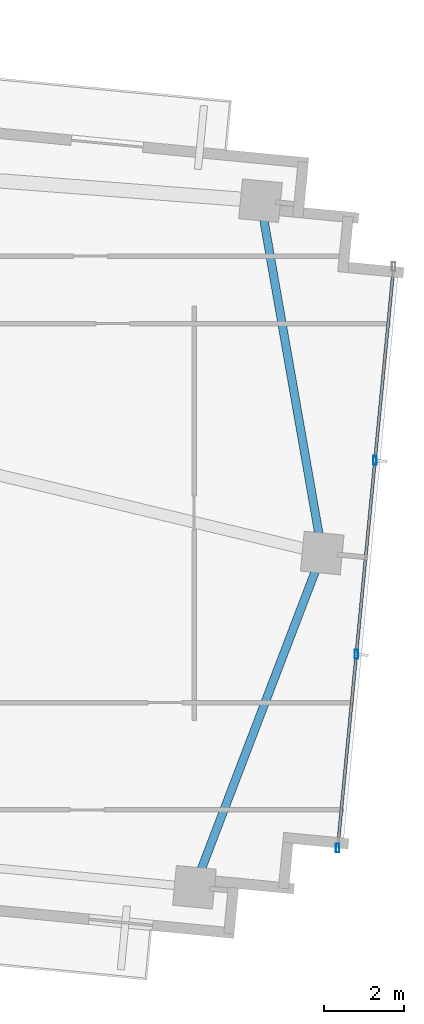
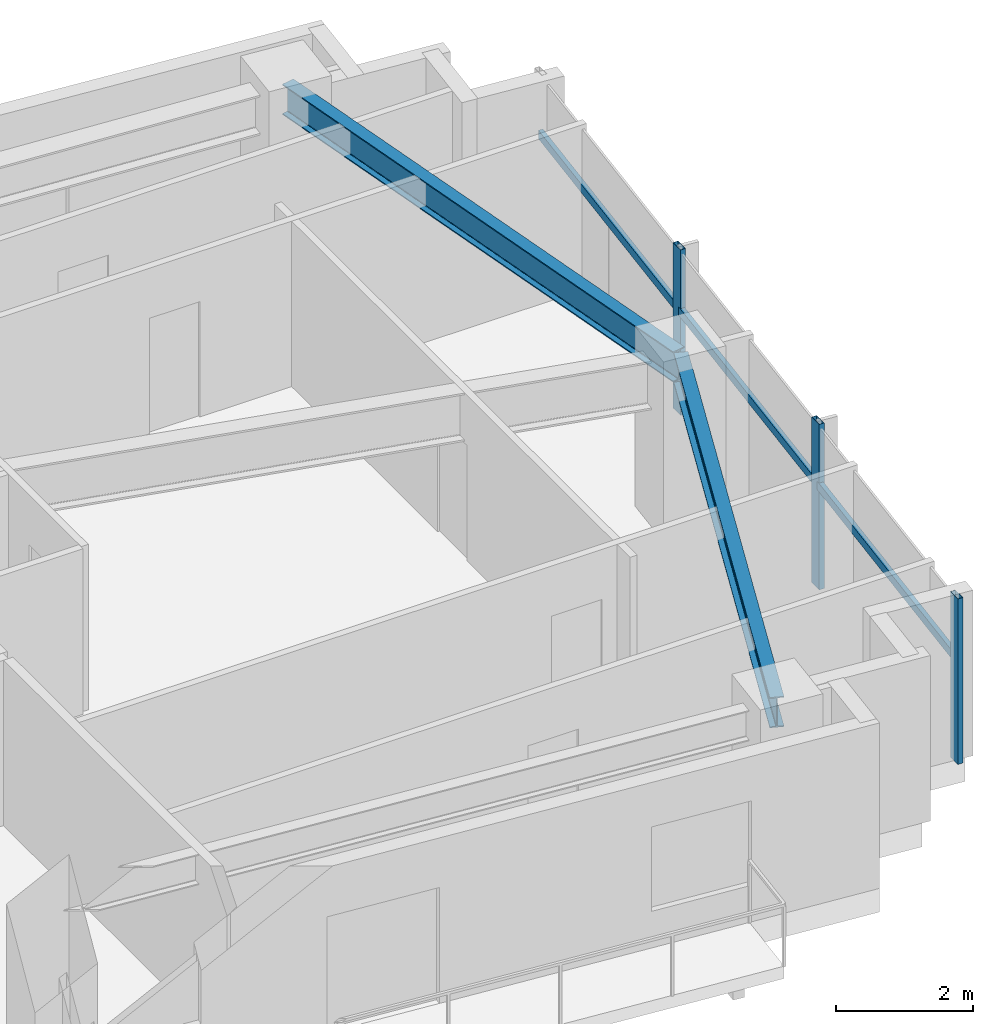
# One storey, part 10 of 19: 6 members, 2 beams, 1 element without a shape of its own.
"""IFC4 building model written with IfcOpenShell, lengths in metres."""

from ifc_helpers import new_model, si_unit, direction, frame, origin, origin_2d, place, context, subcontext, project, spatial, hollow_rectangle, i_section, extrude, source, transform, mapped, material, material_profile, profile_set, type_object, type_shapes, element, aggregate, save


model = new_model("IFC4")

# Units and contexts
model_context = context("Model", 3, precision=1e-05, world=origin(), true_north=direction((0.0, 1.0)))
body_context = subcontext(model_context, "Body", "Model", "MODEL_VIEW")
ifc_project = project(units=[si_unit("LENGTHUNIT", "METRE"), si_unit("AREAUNIT", "SQUARE_METRE"), si_unit("VOLUMEUNIT", "CUBIC_METRE"), si_unit("PLANEANGLEUNIT", "RADIAN"), si_unit("MASSUNIT", "GRAM", prefix="KILO")], contexts=[model_context])

# Site, building, storey
site_placement = place(None, origin())
site = spatial("IfcSite", under=ifc_project, at=site_placement, CompositionType="ELEMENT")
building_placement = place(site_placement, origin())
building = spatial("IfcBuilding", under=site, at=building_placement, Name="Astriad Promenade Condominiums", CompositionType="ELEMENT")
storey_placement = place(building_placement, frame((0.0, 0.0, 124.60009765625)))
storey = spatial("IfcBuildingStorey", under=building, at=storey_placement, Name="L35", CompositionType="ELEMENT", Elevation=124.60009765625)

# Beams
ifc_material_1 = material(Name="Steel ASTM A992 Grade 50", Category="steel")
ifc_material_profile_1 = material_profile(ifc_material_1, i_section(OverallWidth=0.210693359375, OverallDepth=0.53955078125, WebThickness=0.01171875, FlangeThickness=0.018798828125, FilletRadius=0.0166015625, at=origin_2d()), Name="W21X73")
ifc_profile_set_1 = profile_set([ifc_material_profile_1], Name="Steel ASTM A992 Grade 50")
beam_type = type_object("IfcBeamType", Name="STEEL SPANDREL BEAM W21X73", PredefinedType="SPANDREL", material=ifc_profile_set_1)
shared_shape_1 = source(origin(), body_context, "Body", "SweptSolid", [
    extrude(i_section(OverallWidth=0.210693359375, OverallDepth=0.53955078125, WebThickness=0.01171875, FlangeThickness=0.018798828125, FilletRadius=0.0166015625, at=origin_2d()), origin(), (0.0, 0.0, 1.0), 8.8623046875),
])
type_shapes(beam_type, [shared_shape_1])
for number, where, z_axis, x_axis, name in (
    (1, (55.081298828125, 6.033447265625, 2.670166015625), (0.357298632827, 0.933990196405, 0.0), (-0.933990196405, 0.357298632827, 0.0), "Perimeter Spandrel Beam SP-E1-L35"),
    (2, (58.25537109375, 14.3876953125, 2.670166015625), (-0.172532686951, 0.985003792852, 0.0), (-0.985003792852, -0.172532686951, 0.0), "Perimeter Spandrel Beam SP-E2-L35"),
):
    element("IfcBeam", number, at=place(storey_placement, frame(where, z_axis=z_axis, x_axis=x_axis)), inside=storey, type_object=beam_type, Name=name, PredefinedType="SPANDREL", context=body_context, shape_type="MappedRepresentation", body=[
        mapped(shared_shape_1, transform((0.0, 0.0, 0.0), scale=1.0)),
    ])

# Curtain wall, members
ifc_material_2 = material(Name="Anodised aluminium Black Dark Glass Unitised", Category="aluminium")
curtain_wall_type = type_object("IfcCurtainWallType", Name="CW-B34-DARK", PredefinedType="USERDEFINED", material=ifc_material_2)
curtain_wall_placement = place(storey_placement, origin())
curtain_wall = element("IfcCurtainWall", 3, at=curtain_wall_placement, inside=storey, type_object=curtain_wall_type, Name="CW-L35-E", ObjectType="UNITISED_CURTAIN_WALL", PredefinedType="USERDEFINED")
ifc_material_3 = material(Name="Anodised aluminium 6063-T6 Black", Category="aluminium")
ifc_material_profile_2 = material_profile(ifc_material_3, hollow_rectangle(XDim=0.0849609375, YDim=0.219970703125, WallThickness=0.0048828125, at=origin_2d()), Name="ALU-MUL-85X220")
ifc_profile_set_2 = profile_set([ifc_material_profile_2], Name="Anodised aluminium 6063-T6 Black")
member_type_1 = type_object("IfcMemberType", Name="MUL-ALU-MUL-85X220", PredefinedType="MULLION", material=ifc_profile_set_2)
shared_shape_2 = source(origin(), body_context, "Body", "SweptSolid", [
    extrude(hollow_rectangle(XDim=0.0849609375, YDim=0.219970703125, WallThickness=0.0048828125, at=origin_2d()), origin(), (0.0, 0.0, 1.0), 2.93994140625),
])
type_shapes(member_type_1, [shared_shape_2])
member_1_placement = place(storey_placement, frame((59.580322265625, 16.666015625, 0.0), z_axis=(0.0, 0.0, 1.0), x_axis=(1.0, 0.0, 0.0)))
member_1 = element("IfcMember", 4, at=member_1_placement, type_object=member_type_1, Name="CW-L35-E-MUL-01", PredefinedType="MULLION", context=body_context, shape_type="MappedRepresentation", body=[
    mapped(shared_shape_2, transform((0.0, 0.0, 0.0), scale=1.0)),
])
member_2_placement = place(storey_placement, frame((59.114013671875, 11.82177734375, 0.0), z_axis=(0.0, 0.0, 1.0), x_axis=(1.0, 0.0, 0.0)))
member_2 = element("IfcMember", 5, at=member_2_placement, type_object=member_type_1, Name="CW-L35-E-MUL-02", PredefinedType="MULLION", context=body_context, shape_type="MappedRepresentation", body=[
    mapped(shared_shape_2, transform((0.0, 0.0, 0.0), scale=1.0)),
])
member_3_placement = place(storey_placement, frame((58.6474609375, 6.977294921875, 0.0), z_axis=(0.0, 0.0, 1.0), x_axis=(1.0, 0.0, 0.0)))
member_3 = element("IfcMember", 6, at=member_3_placement, type_object=member_type_1, Name="CW-L35-E-MUL-03", PredefinedType="MULLION", context=body_context, shape_type="MappedRepresentation", body=[
    mapped(shared_shape_2, transform((0.0, 0.0, 0.0), scale=1.0)),
])
ifc_material_profile_3 = material_profile(ifc_material_3, hollow_rectangle(XDim=0.074951171875, YDim=0.14990234375, WallThickness=0.004150390625, at=origin_2d()), Name="ALU-TRN-75X150")
ifc_profile_set_3 = profile_set([ifc_material_profile_3], Name="Anodised aluminium 6063-T6 Black")
member_type_2 = type_object("IfcMemberType", Name="TRN-ALU-TRN-75X150", PredefinedType="USERDEFINED", material=ifc_profile_set_3)
shared_shape_3 = source(origin(), body_context, "Body", "SweptSolid", [
    extrude(hollow_rectangle(XDim=0.074951171875, YDim=0.14990234375, WallThickness=0.004150390625, at=origin_2d()), origin(), (0.0, 0.0, 1.0), 4.86669921875),
])
member_4_placement = place(storey_placement, frame((60.046875, 21.51025390625, 1.82275390625), z_axis=(-0.095867260207, -0.995394127178, 0.0), x_axis=(0.995394127178, -0.095867260207, 0.0)))
member_4 = element("IfcMember", 7, at=member_4_placement, type_object=member_type_2, Name="CW-L35-E-TRN-00-0", ObjectType="TRANSOM", PredefinedType="USERDEFINED", context=body_context, shape_type="MappedRepresentation", body=[
    mapped(shared_shape_3, transform((0.0, 0.0, 0.0), scale=1.0)),
])
member_5_placement = place(storey_placement, frame((59.580322265625, 16.666015625, 1.82275390625), z_axis=(-0.095817554883, -0.995398913088, 0.0), x_axis=(0.995398913088, -0.095817554883, 0.0)))
member_5 = element("IfcMember", 8, at=member_5_placement, type_object=member_type_2, Name="CW-L35-E-TRN-01-0", ObjectType="TRANSOM", PredefinedType="USERDEFINED", context=body_context, shape_type="MappedRepresentation", body=[
    mapped(shared_shape_3, transform((0.0, 0.0, 0.0), scale=1.0)),
])
shared_shape_4 = source(origin(), body_context, "Body", "SweptSolid", [
    extrude(hollow_rectangle(XDim=0.074951171875, YDim=0.14990234375, WallThickness=0.004150390625, at=origin_2d()), origin(), (0.0, 0.0, 1.0), 4.866943359375),
])
type_shapes(member_type_2, [shared_shape_3, shared_shape_4])
member_6_placement = place(storey_placement, frame((59.114013671875, 11.82177734375, 1.82275390625), z_axis=(-0.095862473318, -0.995394588196, 0.0), x_axis=(0.995394588196, -0.095862473318, 0.0)))
member_6 = element("IfcMember", 9, at=member_6_placement, type_object=member_type_2, Name="CW-L35-E-TRN-02-0", ObjectType="TRANSOM", PredefinedType="USERDEFINED", context=body_context, shape_type="MappedRepresentation", body=[
    mapped(shared_shape_4, transform((0.0, 0.0, 0.0), scale=1.0)),
])
aggregate(curtain_wall, [member_1, member_2, member_3, member_4, member_5, member_6])

save(model, "model.ifc")
